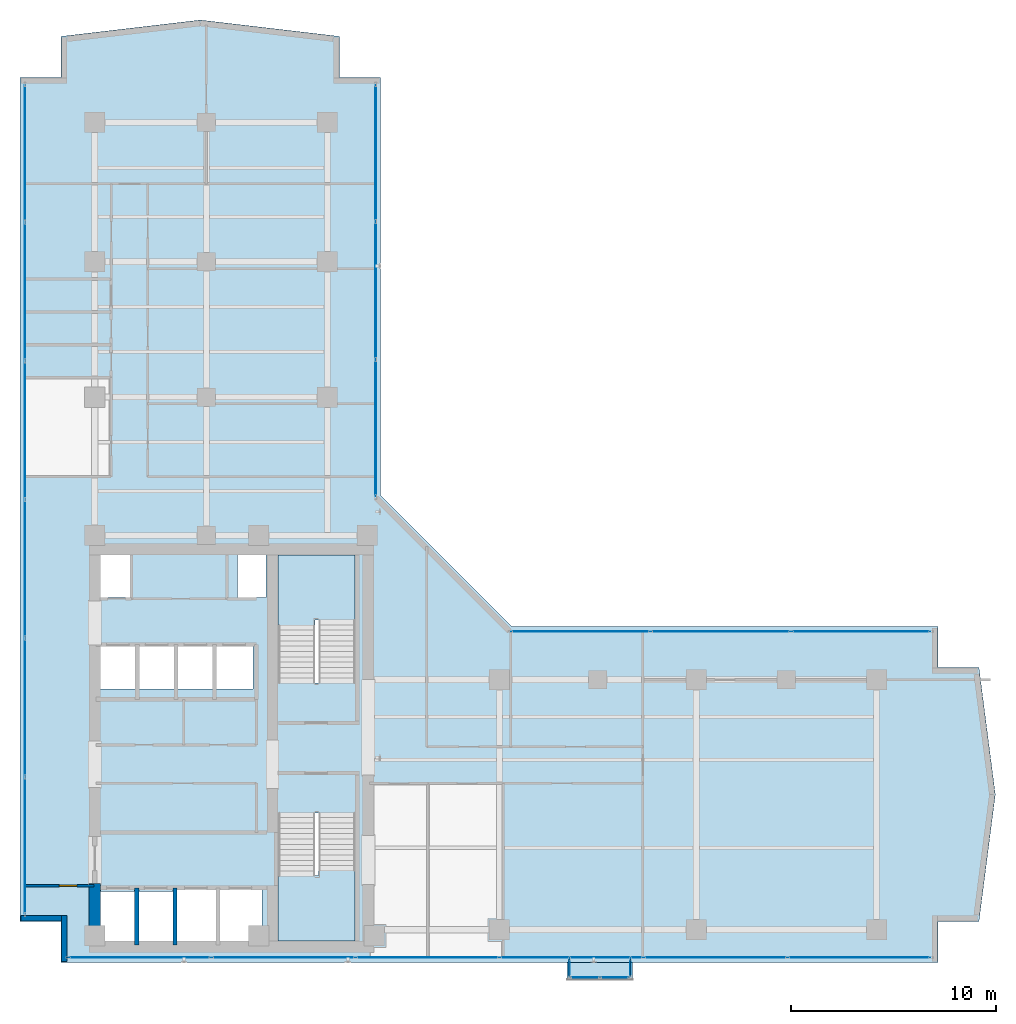
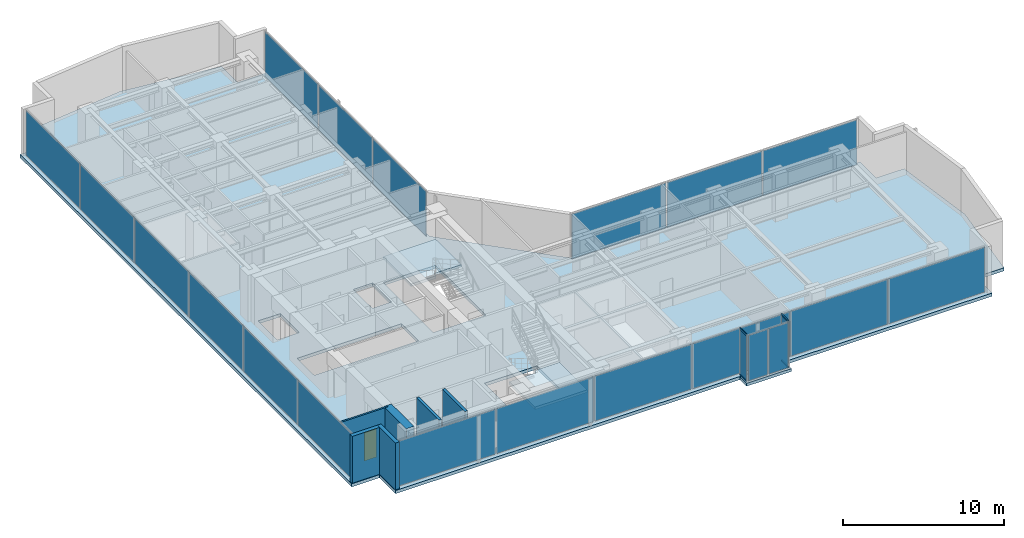
# One storey, part 16 of 23: 22 plates, 6 walls, 4 members, 4 slabs, 1 door, 1 opening, 9 elements without a shape of their own.
"""IFC4 building model written with IfcOpenShell, lengths in metres."""

from ifc_helpers import new_model, si_unit, direction, frame, frame_2d, origin, origin_with_axes, origin_2d, place, context, subcontext, project, spatial, polyline, rectangle, hollow_rectangle, outline, extrude, source, transform, mapped, material, layer, layer_set, material_profile, profile_set, type_object, element, fill, aggregate, save


model = new_model("IFC4")

# Units and contexts
model_context = context("Model", 3, precision=1e-05, world=origin(), true_north=direction((0.0, 1.0)))
body_context = subcontext(model_context, "Body", "Model", "MODEL_VIEW")
ifc_project = project(units=[si_unit("LENGTHUNIT", "METRE"), si_unit("AREAUNIT", "SQUARE_METRE"), si_unit("VOLUMEUNIT", "CUBIC_METRE"), si_unit("PLANEANGLEUNIT", "RADIAN"), si_unit("MASSUNIT", "GRAM", prefix="KILO")], contexts=[model_context])

# Site, building, storey
site_placement = place(None, origin())
site = spatial("IfcSite", under=ifc_project, at=site_placement, CompositionType="ELEMENT")
building_placement = place(site_placement, origin())
building = spatial("IfcBuilding", under=site, at=building_placement, Name="Kolvaren Waterfront Exchange", CompositionType="ELEMENT")
storey_placement = place(building_placement, frame((0.0, 0.0, 234.89990234375)))
storey = spatial("IfcBuildingStorey", under=building, at=storey_placement, Name="L60", CompositionType="ELEMENT", Elevation=234.89990234375)

# Curtain wall, members
ifc_material_1 = material(Name="Anodised bronze aluminium 6063-T6", Category="aluminium")
ifc_layer_1 = layer(ifc_material_1, 0.219970703125, Name="Anodised bronze aluminium 6063-T6")
ifc_layer_set_1 = layer_set([ifc_layer_1], Name="Anodised bronze aluminium 6063-T6")
curtain_wall_type_1 = type_object("IfcCurtainWallType", Name="ARC-CW-SYS3", PredefinedType="USERDEFINED", material=ifc_layer_set_1)
curtain_wall_1_placement = place(storey_placement, origin())
curtain_wall_1 = element("IfcCurtainWall", 1, at=curtain_wall_1_placement, inside=storey, type_object=curtain_wall_type_1, Name="L60 stick curtain wall CW3 (CW-L60-BOX-W)", ObjectType="STICK CURTAIN WALL", PredefinedType="USERDEFINED")
ifc_material_profile = material_profile(ifc_material_1, hollow_rectangle(XDim=0.06494140625, YDim=0.1298828125, WallThickness=0.00390625, at=origin_2d()), Name="ALU-TRN-130x65x4")
ifc_profile_set = profile_set([ifc_material_profile], Name="Anodised bronze aluminium 6063-T6")
member_type = type_object("IfcMemberType", Name="ARC-CWT-130", PredefinedType="USERDEFINED", material=ifc_profile_set)
shared_shape_1 = source(origin_with_axes(), body_context, "Body", "SweptSolid", [
    extrude(hollow_rectangle(XDim=0.06494140625, YDim=0.1298828125, WallThickness=0.00390625, at=origin_2d()), origin(), (0.0, 0.0, 1.0), 0.829833984375),
])
member_1_placement = place(storey_placement, frame((30.610107421875, 3.764892578125, 0.03271484375), z_axis=(0.0, -1.0, 0.0), x_axis=(1.0, 0.0, 0.0)))
member_1 = element("IfcMember", 2, at=member_1_placement, type_object=member_type, Name="CW3 transom 1.1", ObjectType="TRANSOM", PredefinedType="USERDEFINED", context=body_context, shape_type="MappedRepresentation", body=[
    mapped(shared_shape_1, transform((0.0, 0.0, 0.0), x_axis=(1.0, 0.0, 0.0), y_axis=(0.0, 1.0, 0.0), z_axis=(0.0, 0.0, 1.0), scale=1.0)),
])
member_2_placement = place(storey_placement, frame((30.610107421875, 3.764892578125, 3.527587890625), z_axis=(0.0, -1.0, 0.0), x_axis=(1.0, 0.0, 0.0)))
member_2 = element("IfcMember", 3, at=member_2_placement, type_object=member_type, Name="CW3 transom 1.2", ObjectType="TRANSOM", PredefinedType="USERDEFINED", context=body_context, shape_type="MappedRepresentation", body=[
    mapped(shared_shape_1, transform((0.0, 0.0, 0.0), x_axis=(1.0, 0.0, 0.0), y_axis=(0.0, 1.0, 0.0), z_axis=(0.0, 0.0, 1.0), scale=1.0)),
])

curtain_wall_2_placement = place(storey_placement, origin())
curtain_wall_2 = element("IfcCurtainWall", 4, at=curtain_wall_2_placement, inside=storey, type_object=curtain_wall_type_1, Name="L60 stick curtain wall CW3 (CW-L60-BOX-E)", ObjectType="STICK CURTAIN WALL", PredefinedType="USERDEFINED")
member_3_placement = place(storey_placement, frame((33.590087890625, 2.93505859375, 0.03271484375), z_axis=(0.0, 1.0, 0.0), x_axis=(-1.0, 0.0, 0.0)))
member_3 = element("IfcMember", 5, at=member_3_placement, type_object=member_type, Name="CW3 transom 1.1", ObjectType="TRANSOM", PredefinedType="USERDEFINED", context=body_context, shape_type="MappedRepresentation", body=[
    mapped(shared_shape_1, transform((0.0, 0.0, 0.0), x_axis=(1.0, 0.0, 0.0), y_axis=(0.0, 1.0, 0.0), z_axis=(0.0, 0.0, 1.0), scale=1.0)),
])
member_4_placement = place(storey_placement, frame((33.590087890625, 2.93505859375, 3.527587890625), z_axis=(0.0, 1.0, 0.0), x_axis=(-1.0, 0.0, 0.0)))
member_4 = element("IfcMember", 6, at=member_4_placement, type_object=member_type, Name="CW3 transom 1.2", ObjectType="TRANSOM", PredefinedType="USERDEFINED", context=body_context, shape_type="MappedRepresentation", body=[
    mapped(shared_shape_1, transform((0.0, 0.0, 0.0), x_axis=(1.0, 0.0, 0.0), y_axis=(0.0, 1.0, 0.0), z_axis=(0.0, 0.0, 1.0), scale=1.0)),
])

# Stair, slab
ifc_material_2 = material(Name="Concrete C40/50", Category="concrete")
stair_type = type_object("IfcStairType", Name="ARC-STAIR-3800", PredefinedType="HALF_TURN_STAIR", material=ifc_material_2)
stair_1_placement = place(storey_placement, origin())
stair_1 = element("IfcStair", 7, at=stair_1_placement, inside=storey, type_object=stair_type, Name="L60 Smoke-proof exit stair ST1", PredefinedType="HALF_TURN_STAIR")
ifc_layer_2 = layer(ifc_material_2, 0.199951171875, Name="Concrete C40/50")
ifc_layer_set_2 = layer_set([ifc_layer_2], Name="Concrete C40/50")
slab_type_1 = type_object("IfcSlabType", Name="STR-LANDING-200", PredefinedType="LANDING", material=ifc_layer_set_2)
slab_1_placement = place(storey_placement, frame((0.0, 0.0, 1.776123046875)))
slab_1 = element("IfcSlab", 8, at=slab_1_placement, type_object=slab_type_1, Name="ST1 landing 1", PredefinedType="LANDING", context=body_context, shape_type="SweptSolid", body=[
    extrude(outline(polyline([(16.39990234375, 7.840087890625), (16.39990234375, 4.64990234375), (20.159912109375, 4.64990234375), (20.159912109375, 8.10009765625), (18.360107421875, 8.10009765625), (18.360107421875, 7.840087890625), (16.39990234375, 7.840087890625)])), origin(), (0.0, 0.0, 1.0), 0.199951171875),
])
aggregate(stair_1, [slab_1])

stair_2_placement = place(storey_placement, origin())
stair_2 = element("IfcStair", 9, at=stair_2_placement, inside=storey, type_object=stair_type, Name="L60 Smoke-proof exit stair ST2", PredefinedType="HALF_TURN_STAIR")
slab_2_placement = place(storey_placement, frame((0.0, 0.0, 1.776123046875)))
slab_2 = element("IfcSlab", 10, at=slab_2_placement, type_object=slab_type_1, Name="ST2 landing 1", PredefinedType="LANDING", context=body_context, shape_type="SweptSolid", body=[
    extrude(outline(polyline([(20.159912109375, 20.31005859375), (20.159912109375, 23.5), (16.39990234375, 23.5), (16.39990234375, 20.050048828125), (18.199951171875, 20.050048828125), (18.199951171875, 20.31005859375), (20.159912109375, 20.31005859375)])), origin(), (0.0, 0.0, 1.0), 0.199951171875),
])
aggregate(stair_2, [slab_2])

# Slabs
ifc_layer_3 = layer(ifc_material_2, 0.239990234375, Name="Concrete C40/50")
ifc_layer_set_3 = layer_set([ifc_layer_3], Name="Concrete C40/50")
slab_type_2 = type_object("IfcSlabType", Name="STR-SLAB-240", PredefinedType="FLOOR", material=ifc_layer_set_3)
slab_3_placement = place(storey_placement, frame((0.0, 0.0, -0.239990234375)))
element("IfcSlab", 11, at=slab_3_placement, inside=storey, type_object=slab_type_2, Name="L60 structural floor slab", PredefinedType="FLOOR", context=body_context, shape_type="SweptSolid", body=[
    extrude(outline(polyline([(5.800048828125, 3.60009765625), (48.60009765625, 3.60009765625), (48.60009765625, 5.60009765625), (50.60009765625, 5.60009765625), (51.39990234375, 11.800048828125), (50.60009765625, 18.0), (48.60009765625, 18.0), (48.60009765625, 20.0), (27.800048828125, 20.0), (21.39990234375, 26.39990234375), (21.39990234375, 46.800048828125), (19.39990234375, 46.800048828125), (19.39990234375, 48.800048828125), (12.60009765625, 49.60009765625), (5.800048828125, 48.800048828125), (5.800048828125, 46.800048828125), (3.800048828125, 46.800048828125), (3.800048828125, 5.60009765625), (5.800048828125, 5.60009765625), (5.800048828125, 3.60009765625)]), holes=[polyline([(11.320068359375, 7.260009765625), (15.610107421875, 7.260009765625), (15.610107421875, 4.5400390625), (7.719970703125, 4.5400390625), (7.719970703125, 7.06005859375), (11.320068359375, 7.06005859375), (11.320068359375, 7.260009765625)]), polyline([(20.159912109375, 10.89990234375), (20.159912109375, 4.64990234375), (16.39990234375, 4.64990234375), (16.39990234375, 10.89990234375), (20.159912109375, 10.89990234375)]), polyline([(7.669921875, 19.06005859375), (15.159912109375, 19.06005859375), (15.159912109375, 16.93994140625), (7.669921875, 16.93994140625), (7.669921875, 19.06005859375)]), polyline([(16.39990234375, 17.25), (16.39990234375, 23.5), (20.159912109375, 23.5), (20.159912109375, 17.25), (16.39990234375, 17.25)]), polyline([(7.60009765625, 23.780029296875), (9.179931640625, 23.780029296875), (9.179931640625, 21.419921875), (7.60009765625, 21.419921875), (7.60009765625, 23.780029296875)]), polyline([(14.419921875, 23.780029296875), (15.800048828125, 23.780029296875), (15.800048828125, 21.419921875), (14.419921875, 21.419921875), (14.419921875, 23.780029296875)])]), origin(), (0.0, 0.0, 1.0), 0.239990234375),
])
ifc_layer_4 = layer(ifc_material_2, 0.219970703125, Name="Concrete C40/50")
ifc_layer_set_4 = layer_set([ifc_layer_4], Name="Concrete C40/50")
slab_type_3 = type_object("IfcSlabType", Name="STR-TERR-220", PredefinedType="FLOOR", material=ifc_layer_set_4)
slab_4_placement = place(storey_placement, frame((0.0, 0.0, -0.219970703125)))
element("IfcSlab", 12, at=slab_4_placement, inside=storey, type_object=slab_type_3, Name="L60 projecting bay-box floor strip", PredefinedType="FLOOR", context=body_context, shape_type="SweptSolid", body=[
    extrude(outline(polyline([(30.5, 2.75), (33.699951171875, 2.75), (33.699951171875, 3.60009765625), (30.5, 3.60009765625), (30.5, 2.75)])), origin(), (0.0, 0.0, 1.0), 0.219970703125),
])

# Plate
ifc_material_3 = material(Name="Bronze tinted bay-box vision glass", Category="aluminium")
ifc_layer_5 = layer(ifc_material_3, 0.02392578125, Name="Bronze tinted bay-box vision glass")
ifc_layer_set_5 = layer_set([ifc_layer_5], Name="Bronze tinted bay-box vision glass")
plate_type_1 = type_object("IfcPlateType", Name="ARC-CWP-24", PredefinedType="CURTAIN_PANEL", material=ifc_layer_set_5)
shared_shape_2 = source(origin_with_axes(), body_context, "Body", "SweptSolid", [
    extrude(rectangle(XDim=0.830078125, YDim=0.02392578125, at=origin_2d()), origin(), (0.0, 0.0, 1.0), 3.429931640625),
])
plate_1_placement = place(storey_placement, frame((30.610107421875, 3.35009765625, 0.06494140625), z_axis=(0.0, 0.0, 1.0), x_axis=(0.0, -1.0, 0.0)))
plate_1 = element("IfcPlate", 13, at=plate_1_placement, type_object=plate_type_1, Name="CW3 panel 1.1", PredefinedType="CURTAIN_PANEL", context=body_context, shape_type="MappedRepresentation", body=[
    mapped(shared_shape_2, transform((0.0, 0.0, 0.0), x_axis=(1.0, 0.0, 0.0), y_axis=(0.0, 1.0, 0.0), z_axis=(0.0, 0.0, 1.0), scale=1.0)),
])

aggregate(curtain_wall_1, [member_1, member_2, plate_1])

plate_2_placement = place(storey_placement, frame((33.590087890625, 3.35009765625, 0.06494140625), z_axis=(0.0, 0.0, 1.0), x_axis=(0.0, 1.0, 0.0)))
plate_2 = element("IfcPlate", 14, at=plate_2_placement, type_object=plate_type_1, Name="CW3 panel 1.1", PredefinedType="CURTAIN_PANEL", context=body_context, shape_type="MappedRepresentation", body=[
    mapped(shared_shape_2, transform((0.0, 0.0, 0.0), x_axis=(1.0, 0.0, 0.0), y_axis=(0.0, 1.0, 0.0), z_axis=(0.0, 0.0, 1.0), scale=1.0)),
])

aggregate(curtain_wall_2, [member_3, member_4, plate_2])

# Curtain wall, plates
curtain_wall_3_placement = place(storey_placement, origin())
curtain_wall_3 = element("IfcCurtainWall", 15, at=curtain_wall_3_placement, inside=storey, type_object=curtain_wall_type_1, Name="L60 stick curtain wall CW3 (CW-L60-BOX)", ObjectType="STICK CURTAIN WALL", PredefinedType="USERDEFINED")
shared_shape_3 = source(origin_with_axes(), body_context, "Body", "SweptSolid", [
    extrude(rectangle(XDim=1.37744140625, YDim=0.02392578125, at=origin_2d()), origin(), (0.0, 0.0, 1.0), 3.429931640625),
])
plate_3_placement = place(storey_placement, frame((31.373779296875, 2.860107421875, 0.06494140625), z_axis=(0.0, 0.0, 1.0), x_axis=(1.0, 0.0, 0.0)))
plate_3 = element("IfcPlate", 16, at=plate_3_placement, type_object=plate_type_1, Name="CW3 panel 1.1", PredefinedType="CURTAIN_PANEL", context=body_context, shape_type="MappedRepresentation", body=[
    mapped(shared_shape_3, transform((0.0, 0.0, 0.0), x_axis=(1.0, 0.0, 0.0), y_axis=(0.0, 1.0, 0.0), z_axis=(0.0, 0.0, 1.0), scale=1.0)),
])
plate_4_placement = place(storey_placement, frame((32.826171875, 2.860107421875, 0.06494140625), z_axis=(0.0, 0.0, 1.0), x_axis=(1.0, 0.0, 0.0)))
plate_4 = element("IfcPlate", 17, at=plate_4_placement, type_object=plate_type_1, Name="CW3 panel 2.1", PredefinedType="CURTAIN_PANEL", context=body_context, shape_type="MappedRepresentation", body=[
    mapped(shared_shape_3, transform((0.0, 0.0, 0.0), x_axis=(1.0, 0.0, 0.0), y_axis=(0.0, 1.0, 0.0), z_axis=(0.0, 0.0, 1.0), scale=1.0)),
])
aggregate(curtain_wall_3, [plate_3, plate_4])

ifc_material_4 = material(Name="Anodised aluminium 6063-T6", Category="aluminium")
ifc_layer_6 = layer(ifc_material_4, 0.219970703125, Name="Anodised aluminium 6063-T6")
ifc_layer_set_6 = layer_set([ifc_layer_6], Name="Anodised aluminium 6063-T6")
curtain_wall_type_2 = type_object("IfcCurtainWallType", Name="ARC-CW-SYS2", PredefinedType="USERDEFINED", material=ifc_layer_set_6)
curtain_wall_4_placement = place(storey_placement, origin())
curtain_wall_4 = element("IfcCurtainWall", 18, at=curtain_wall_4_placement, inside=storey, type_object=curtain_wall_type_2, Name="L60 stick curtain wall CW2 (CW-L60-W)", ObjectType="STICK CURTAIN WALL", PredefinedType="USERDEFINED")
ifc_material_5 = material(Name="Acoustic laminated vision glass", Category="glass")
ifc_layer_7 = layer(ifc_material_5, 0.031982421875, Name="Acoustic laminated vision glass")
ifc_layer_set_7 = layer_set([ifc_layer_7], Name="Acoustic laminated vision glass")
plate_type_2 = type_object("IfcPlateType", Name="ARC-CWP-32", PredefinedType="CURTAIN_PANEL", material=ifc_layer_set_7)
shared_shape_4 = source(origin_with_axes(), body_context, "Body", "SweptSolid", [
    extrude(rectangle(XDim=6.646728515625, YDim=0.031982421875, at=origin_2d()), origin(), (0.0, 0.0, 1.0), 3.409912109375),
])
plate_5_placement = place(storey_placement, frame((4.0400390625, 9.30322265625, 0.0751953125), z_axis=(0.0, 0.0, 1.0), x_axis=(0.0, 1.0, 0.0)))
plate_5 = element("IfcPlate", 19, at=plate_5_placement, type_object=plate_type_2, Name="CW2 panel 1.1", PredefinedType="CURTAIN_PANEL", context=body_context, shape_type="MappedRepresentation", body=[
    mapped(shared_shape_4, transform((0.0, 0.0, 0.0), x_axis=(1.0, 0.0, 0.0), y_axis=(0.0, 1.0, 0.0), z_axis=(0.0, 0.0, 1.0), scale=1.0)),
])
plate_6_placement = place(storey_placement, frame((4.0400390625, 43.0966796875, 0.0751953125), z_axis=(0.0, 0.0, 1.0), x_axis=(0.0, 1.0, 0.0)))
plate_6 = element("IfcPlate", 20, at=plate_6_placement, type_object=plate_type_2, Name="CW2 panel 6.1", PredefinedType="CURTAIN_PANEL", context=body_context, shape_type="MappedRepresentation", body=[
    mapped(shared_shape_4, transform((0.0, 0.0, 0.0), x_axis=(1.0, 0.0, 0.0), y_axis=(0.0, 1.0, 0.0), z_axis=(0.0, 0.0, 1.0), scale=1.0)),
])
shared_shape_5 = source(origin_with_axes(), body_context, "Body", "SweptSolid", [
    extrude(rectangle(XDim=6.686767578125, YDim=0.031982421875, at=origin_2d()), origin(), (0.0, 0.0, 1.0), 3.409912109375),
])
plate_7_placement = place(storey_placement, frame((4.0400390625, 16.050048828125, 0.0751953125), z_axis=(0.0, 0.0, 1.0), x_axis=(0.0, 1.0, 0.0)))
plate_7 = element("IfcPlate", 21, at=plate_7_placement, type_object=plate_type_2, Name="CW2 panel 2.1", PredefinedType="CURTAIN_PANEL", context=body_context, shape_type="MappedRepresentation", body=[
    mapped(shared_shape_5, transform((0.0, 0.0, 0.0), x_axis=(1.0, 0.0, 0.0), y_axis=(0.0, 1.0, 0.0), z_axis=(0.0, 0.0, 1.0), scale=1.0)),
])
plate_8_placement = place(storey_placement, frame((4.0400390625, 22.816650390625, 0.0751953125), z_axis=(0.0, 0.0, 1.0), x_axis=(0.0, 1.0, 0.0)))
plate_8 = element("IfcPlate", 22, at=plate_8_placement, type_object=plate_type_2, Name="CW2 panel 3.1", PredefinedType="CURTAIN_PANEL", context=body_context, shape_type="MappedRepresentation", body=[
    mapped(shared_shape_5, transform((0.0, 0.0, 0.0), x_axis=(1.0, 0.0, 0.0), y_axis=(0.0, 1.0, 0.0), z_axis=(0.0, 0.0, 1.0), scale=1.0)),
])
plate_9_placement = place(storey_placement, frame((4.0400390625, 29.583251953125, 0.0751953125), z_axis=(0.0, 0.0, 1.0), x_axis=(0.0, 1.0, 0.0)))
plate_9 = element("IfcPlate", 23, at=plate_9_placement, type_object=plate_type_2, Name="CW2 panel 4.1", PredefinedType="CURTAIN_PANEL", context=body_context, shape_type="MappedRepresentation", body=[
    mapped(shared_shape_5, transform((0.0, 0.0, 0.0), x_axis=(1.0, 0.0, 0.0), y_axis=(0.0, 1.0, 0.0), z_axis=(0.0, 0.0, 1.0), scale=1.0)),
])
plate_10_placement = place(storey_placement, frame((4.0400390625, 36.35009765625, 0.0751953125), z_axis=(0.0, 0.0, 1.0), x_axis=(0.0, 1.0, 0.0)))
plate_10 = element("IfcPlate", 24, at=plate_10_placement, type_object=plate_type_2, Name="CW2 panel 5.1", PredefinedType="CURTAIN_PANEL", context=body_context, shape_type="MappedRepresentation", body=[
    mapped(shared_shape_5, transform((0.0, 0.0, 0.0), x_axis=(1.0, 0.0, 0.0), y_axis=(0.0, 1.0, 0.0), z_axis=(0.0, 0.0, 1.0), scale=1.0)),
])
aggregate(curtain_wall_4, [plate_5, plate_7, plate_8, plate_9, plate_10, plate_6])

ifc_layer_8 = layer(ifc_material_1, 0.219970703125, Name="Anodised bronze aluminium 6063-T6")
ifc_layer_set_8 = layer_set([ifc_layer_8], Name="Anodised bronze aluminium 6063-T6")
curtain_wall_type_3 = type_object("IfcCurtainWallType", Name="ARC-CW-SYS1", PredefinedType="USERDEFINED", material=ifc_layer_set_8)
curtain_wall_5_placement = place(storey_placement, origin())
curtain_wall_5 = element("IfcCurtainWall", 25, at=curtain_wall_5_placement, inside=storey, type_object=curtain_wall_type_3, Name="L60 stick curtain wall CW1 (CW-L60-S)", ObjectType="STICK CURTAIN WALL", PredefinedType="USERDEFINED")
ifc_material_6 = material(Name="Bronze solar control vision glass", Category="aluminium")
ifc_layer_9 = layer(ifc_material_6, 0.028076171875, Name="Bronze solar control vision glass")
ifc_layer_set_9 = layer_set([ifc_layer_9], Name="Bronze solar control vision glass")
plate_type_3 = type_object("IfcPlateType", Name="ARC-CWP-28", PredefinedType="CURTAIN_PANEL", material=ifc_layer_set_9)
shared_shape_6 = source(origin_with_axes(), body_context, "Body", "SweptSolid", [
    extrude(rectangle(XDim=6.913330078125, YDim=0.028076171875, at=origin_2d()), origin(), (0.0, 0.0, 1.0), 3.409912109375),
])
plate_11_placement = place(storey_placement, frame((9.63671875, 3.840087890625, 0.0751953125), z_axis=(0.0, 0.0, 1.0), x_axis=(1.0, 0.0, 0.0)))
plate_11 = element("IfcPlate", 26, at=plate_11_placement, type_object=plate_type_3, Name="CW1 panel 1.1", PredefinedType="CURTAIN_PANEL", context=body_context, shape_type="MappedRepresentation", body=[
    mapped(shared_shape_6, transform((0.0, 0.0, 0.0), x_axis=(1.0, 0.0, 0.0), y_axis=(0.0, 1.0, 0.0), z_axis=(0.0, 0.0, 1.0), scale=1.0)),
])
plate_12_placement = place(storey_placement, frame((44.763427734375, 3.840087890625, 0.0751953125), z_axis=(0.0, 0.0, 1.0), x_axis=(1.0, 0.0, 0.0)))
plate_12 = element("IfcPlate", 27, at=plate_12_placement, type_object=plate_type_3, Name="CW1 panel 6.1", PredefinedType="CURTAIN_PANEL", context=body_context, shape_type="MappedRepresentation", body=[
    mapped(shared_shape_6, transform((0.0, 0.0, 0.0), x_axis=(1.0, 0.0, 0.0), y_axis=(0.0, 1.0, 0.0), z_axis=(0.0, 0.0, 1.0), scale=1.0)),
])
shared_shape_7 = source(origin_with_axes(), body_context, "Body", "SweptSolid", [
    extrude(rectangle(XDim=6.953369140625, YDim=0.028076171875, at=origin_2d()), origin(), (0.0, 0.0, 1.0), 3.409912109375),
])
plate_13_placement = place(storey_placement, frame((16.64990234375, 3.840087890625, 0.0751953125), z_axis=(0.0, 0.0, 1.0), x_axis=(1.0, 0.0, 0.0)))
plate_13 = element("IfcPlate", 28, at=plate_13_placement, type_object=plate_type_3, Name="CW1 panel 2.1", PredefinedType="CURTAIN_PANEL", context=body_context, shape_type="MappedRepresentation", body=[
    mapped(shared_shape_7, transform((0.0, 0.0, 0.0), x_axis=(1.0, 0.0, 0.0), y_axis=(0.0, 1.0, 0.0), z_axis=(0.0, 0.0, 1.0), scale=1.0)),
])
plate_14_placement = place(storey_placement, frame((23.683349609375, 3.840087890625, 0.0751953125), z_axis=(0.0, 0.0, 1.0), x_axis=(1.0, 0.0, 0.0)))
plate_14 = element("IfcPlate", 29, at=plate_14_placement, type_object=plate_type_3, Name="CW1 panel 3.1", PredefinedType="CURTAIN_PANEL", context=body_context, shape_type="MappedRepresentation", body=[
    mapped(shared_shape_7, transform((0.0, 0.0, 0.0), x_axis=(1.0, 0.0, 0.0), y_axis=(0.0, 1.0, 0.0), z_axis=(0.0, 0.0, 1.0), scale=1.0)),
])
plate_15_placement = place(storey_placement, frame((30.716552734375, 3.840087890625, 0.0751953125), z_axis=(0.0, 0.0, 1.0), x_axis=(1.0, 0.0, 0.0)))
plate_15 = element("IfcPlate", 30, at=plate_15_placement, type_object=plate_type_3, Name="CW1 panel 4.1", PredefinedType="CURTAIN_PANEL", context=body_context, shape_type="MappedRepresentation", body=[
    mapped(shared_shape_7, transform((0.0, 0.0, 0.0), x_axis=(1.0, 0.0, 0.0), y_axis=(0.0, 1.0, 0.0), z_axis=(0.0, 0.0, 1.0), scale=1.0)),
])
plate_16_placement = place(storey_placement, frame((37.75, 3.840087890625, 0.0751953125), z_axis=(0.0, 0.0, 1.0), x_axis=(1.0, 0.0, 0.0)))
plate_16 = element("IfcPlate", 31, at=plate_16_placement, type_object=plate_type_3, Name="CW1 panel 5.1", PredefinedType="CURTAIN_PANEL", context=body_context, shape_type="MappedRepresentation", body=[
    mapped(shared_shape_7, transform((0.0, 0.0, 0.0), x_axis=(1.0, 0.0, 0.0), y_axis=(0.0, 1.0, 0.0), z_axis=(0.0, 0.0, 1.0), scale=1.0)),
])
aggregate(curtain_wall_5, [plate_11, plate_13, plate_14, plate_15, plate_16, plate_12])

curtain_wall_6_placement = place(storey_placement, origin())
curtain_wall_6 = element("IfcCurtainWall", 32, at=curtain_wall_6_placement, inside=storey, type_object=curtain_wall_type_3, Name="L60 stick curtain wall CW1 (CW-L60-NE)", ObjectType="STICK CURTAIN WALL", PredefinedType="USERDEFINED")
shared_shape_8 = source(origin_with_axes(), body_context, "Body", "SweptSolid", [
    extrude(rectangle(XDim=6.61669921875, YDim=0.028076171875, at=origin_2d()), origin(), (0.0, 0.0, 1.0), 3.409912109375),
])
plate_17_placement = place(storey_placement, frame((21.159912109375, 29.67822265625, 0.0751953125), z_axis=(0.0, 0.0, 1.0), x_axis=(0.0, 1.0, 0.0)))
plate_17 = element("IfcPlate", 33, at=plate_17_placement, type_object=plate_type_3, Name="CW1 panel 1.1", PredefinedType="CURTAIN_PANEL", context=body_context, shape_type="MappedRepresentation", body=[
    mapped(shared_shape_8, transform((0.0, 0.0, 0.0), x_axis=(1.0, 0.0, 0.0), y_axis=(0.0, 1.0, 0.0), z_axis=(0.0, 0.0, 1.0), scale=1.0)),
])
plate_18_placement = place(storey_placement, frame((21.159912109375, 43.111572265625, 0.0751953125), z_axis=(0.0, 0.0, 1.0), x_axis=(0.0, 1.0, 0.0)))
plate_18 = element("IfcPlate", 34, at=plate_18_placement, type_object=plate_type_3, Name="CW1 panel 3.1", PredefinedType="CURTAIN_PANEL", context=body_context, shape_type="MappedRepresentation", body=[
    mapped(shared_shape_8, transform((0.0, 0.0, 0.0), x_axis=(1.0, 0.0, 0.0), y_axis=(0.0, 1.0, 0.0), z_axis=(0.0, 0.0, 1.0), scale=1.0)),
])
shared_shape_9 = source(origin_with_axes(), body_context, "Body", "SweptSolid", [
    extrude(rectangle(XDim=6.65673828125, YDim=0.028076171875, at=origin_2d()), origin(), (0.0, 0.0, 1.0), 3.409912109375),
])
plate_19_placement = place(storey_placement, frame((21.159912109375, 36.39501953125, 0.0751953125), z_axis=(0.0, 0.0, 1.0), x_axis=(0.0, 1.0, 0.0)))
plate_19 = element("IfcPlate", 35, at=plate_19_placement, type_object=plate_type_3, Name="CW1 panel 2.1", PredefinedType="CURTAIN_PANEL", context=body_context, shape_type="MappedRepresentation", body=[
    mapped(shared_shape_9, transform((0.0, 0.0, 0.0), x_axis=(1.0, 0.0, 0.0), y_axis=(0.0, 1.0, 0.0), z_axis=(0.0, 0.0, 1.0), scale=1.0)),
])
aggregate(curtain_wall_6, [plate_17, plate_19, plate_18])

curtain_wall_7_placement = place(storey_placement, origin())
curtain_wall_7 = element("IfcCurtainWall", 36, at=curtain_wall_7_placement, inside=storey, type_object=curtain_wall_type_3, Name="L60 stick curtain wall CW1 (CW-L60-EN)", ObjectType="STICK CURTAIN WALL", PredefinedType="USERDEFINED")
shared_shape_10 = source(origin_with_axes(), body_context, "Body", "SweptSolid", [
    extrude(rectangle(XDim=6.75, YDim=0.028076171875, at=origin_2d()), origin(), (0.0, 0.0, 1.0), 3.409912109375),
])
plate_20_placement = place(storey_placement, frame((31.14501953125, 19.760009765625, 0.0751953125), z_axis=(0.0, 0.0, 1.0), x_axis=(1.0, 0.0, 0.0)))
plate_20 = element("IfcPlate", 37, at=plate_20_placement, type_object=plate_type_3, Name="CW1 panel 1.1", PredefinedType="CURTAIN_PANEL", context=body_context, shape_type="MappedRepresentation", body=[
    mapped(shared_shape_10, transform((0.0, 0.0, 0.0), x_axis=(1.0, 0.0, 0.0), y_axis=(0.0, 1.0, 0.0), z_axis=(0.0, 0.0, 1.0), scale=1.0)),
])
plate_21_placement = place(storey_placement, frame((44.844970703125, 19.760009765625, 0.0751953125), z_axis=(0.0, 0.0, 1.0), x_axis=(1.0, 0.0, 0.0)))
plate_21 = element("IfcPlate", 38, at=plate_21_placement, type_object=plate_type_3, Name="CW1 panel 3.1", PredefinedType="CURTAIN_PANEL", context=body_context, shape_type="MappedRepresentation", body=[
    mapped(shared_shape_10, transform((0.0, 0.0, 0.0), x_axis=(1.0, 0.0, 0.0), y_axis=(0.0, 1.0, 0.0), z_axis=(0.0, 0.0, 1.0), scale=1.0)),
])
shared_shape_11 = source(origin_with_axes(), body_context, "Body", "SweptSolid", [
    extrude(rectangle(XDim=6.7900390625, YDim=0.028076171875, at=origin_2d()), origin(), (0.0, 0.0, 1.0), 3.409912109375),
])
plate_22_placement = place(storey_placement, frame((37.9951171875, 19.760009765625, 0.0751953125), z_axis=(0.0, 0.0, 1.0), x_axis=(1.0, 0.0, 0.0)))
plate_22 = element("IfcPlate", 39, at=plate_22_placement, type_object=plate_type_3, Name="CW1 panel 2.1", PredefinedType="CURTAIN_PANEL", context=body_context, shape_type="MappedRepresentation", body=[
    mapped(shared_shape_11, transform((0.0, 0.0, 0.0), x_axis=(1.0, 0.0, 0.0), y_axis=(0.0, 1.0, 0.0), z_axis=(0.0, 0.0, 1.0), scale=1.0)),
])
aggregate(curtain_wall_7, [plate_20, plate_22, plate_21])

# Walls
ifc_material_7 = material(Name="Precast concrete C40/50", Category="concrete")
ifc_layer_10 = layer(ifc_material_7, 0.280029296875, Name="Precast concrete C40/50")
ifc_layer_set_10 = layer_set([ifc_layer_10], Name="Precast concrete C40/50")
wall_type_1 = type_object("IfcWallType", Name="ARC-EXT-TERR-280", PredefinedType="SOLIDWALL", material=ifc_layer_set_10)
wall_1_placement = place(storey_placement, frame((5.9599609375, 3.659912109375, 0.0), z_axis=(0.0, 0.0, 1.0), x_axis=(0.0, 1.0, 0.0)))
element("IfcWall", 40, at=wall_1_placement, inside=storey, type_object=wall_type_1, Name="L60 notched corner spandrel pier SW-A", PredefinedType="SOLIDWALL", context=body_context, shape_type="SweptSolid", body=[
    extrude(rectangle(XDim=2.239990234375, YDim=0.280029296875, at=frame_2d((1.1201171875, 0.0))), origin(), (0.0, 0.0, 1.0), 3.56005859375),
])
wall_2_placement = place(storey_placement, frame((3.860107421875, 5.760009765625, 0.0), z_axis=(0.0, 0.0, 1.0), x_axis=(1.0, 0.0, 0.0)))
element("IfcWall", 41, at=wall_2_placement, inside=storey, type_object=wall_type_1, Name="L60 notched corner spandrel pier SW-B", PredefinedType="SOLIDWALL", context=body_context, shape_type="SweptSolid", body=[
    extrude(rectangle(XDim=1.9599609375, YDim=0.280029296875, at=frame_2d((0.97998046875, 0.0))), origin(), (0.0, 0.0, 1.0), 3.56005859375),
])

# Wall, opening, door
ifc_material_8 = material(Name="Acoustic gypsum steel stud", Category="steel")
ifc_layer_11 = layer(ifc_material_8, 0.125, Name="Acoustic gypsum steel stud")
ifc_layer_set_11 = layer_set([ifc_layer_11], Name="Acoustic gypsum steel stud")
wall_type_2 = type_object("IfcWallType", Name="ARC-PART-125", PredefinedType="PARTITIONING", material=ifc_layer_set_11)
wall_3_placement = place(storey_placement, frame((4.0400390625, 7.35009765625, 0.0), z_axis=(0.0, 0.0, 1.0), x_axis=(1.0, 0.0, 0.0)))
wall_3 = element("IfcWall", 42, at=wall_3_placement, inside=storey, type_object=wall_type_2, Name="L60 interior wall PW-L60-SWC-N", PredefinedType="PARTITIONING", context=body_context, shape_type="SweptSolid", body=[
    extrude(rectangle(XDim=3.35986328125, YDim=0.125, at=frame_2d((1.679931640625, 0.0))), origin(), (0.0, 0.0, 1.0), 3.56005859375),
])
opening_placement = place(wall_3_placement, frame((1.686767578125, 0.0, 0.0)))
opening = element("IfcOpeningElement", 43, at=opening_placement, cuts=wall_3, Name="Opening D01", PredefinedType="OPENING", context=body_context, shape_type="SweptSolid", body=[
    extrude(rectangle(XDim=0.85009765625, YDim=2.14990234375, at=frame_2d((0.425048828125, 1.074951171875))), frame((0.0, 0.072509765625, 0.0), z_axis=(0.0, -1.0, 0.0), x_axis=(1.0, 0.0, 0.0)), (0.0, 0.0, 1.0), 0.14501953125),
])
ifc_material_9 = material(Name="Oak veneer timber leaf", Category="wood")
door_type = type_object("IfcDoorType", Name="ARC-DR-900", OperationType="NOTDEFINED", PredefinedType="DOOR", material=ifc_material_9)
door_placement = place(opening_placement, origin())
door = element("IfcDoor", 44, at=door_placement, inside=storey, type_object=door_type, Name="L60 door DR-L60-SWC-D (D01)", OperationType="SINGLE_SWING_LEFT", OverallHeight=2.14990234375, OverallWidth=0.85009765625, PredefinedType="DOOR", context=body_context, shape_type="SweptSolid", body=[
    extrude(rectangle(XDim=0.85009765625, YDim=2.14990234375, at=frame_2d((0.425048828125, 1.074951171875))), frame((0.0, 0.02490234375, 0.0), z_axis=(0.0, -1.0, 0.0), x_axis=(1.0, 0.0, 0.0)), (0.0, 0.0, 1.0), 0.050048828125),
])
fill(opening, door)

# Walls
ifc_layer_12 = layer(ifc_material_2, 0.199951171875, Name="Concrete C40/50")
ifc_layer_set_12 = layer_set([ifc_layer_12], Name="Concrete C40/50")
wall_type_3 = type_object("IfcWallType", Name="ARC-SHAFT-200", PredefinedType="PARTITIONING", material=ifc_layer_set_12)
for number, where, z_axis, x_axis, name in (
    (45, (9.5, 4.449951171875, 0.0), (0.0, 0.0, 1.0), (0.0, 1.0, 0.0), "L60 interior wall PW-L60-SH1-DIV-95"),
    (46, (11.360107421875, 4.449951171875, 0.0), (0.0, 0.0, 1.0), (0.0, 1.0, 0.0), "L60 interior wall PW-L60-SH1-DIV-113"),
):
    element("IfcWall", number, at=place(storey_placement, frame(where, z_axis=z_axis, x_axis=x_axis)), inside=storey, type_object=wall_type_3, Name=name, PredefinedType="PARTITIONING", context=body_context, shape_type="SweptSolid", body=[
        extrude(rectangle(XDim=2.800048828125, YDim=0.199951171875, at=frame_2d((1.39990234375, 0.0))), origin(), (0.0, 0.0, 1.0), 3.56005859375),
    ])
ifc_material_10 = material(Name="Concrete C50/60", Category="concrete")
ifc_layer_13 = layer(ifc_material_10, 0.550048828125, Name="Concrete C50/60")
ifc_layer_set_13 = layer_set([ifc_layer_13], Name="Concrete C50/60")
wall_type_4 = type_object("IfcWallType", Name="STR-CWALL-550", PredefinedType="SHEAR", material=ifc_layer_set_13)
wall_4_placement = place(storey_placement, frame((7.449951171875, 4.64990234375, 0.0), z_axis=(0.0, 0.0, 1.0), x_axis=(0.0, 1.0, 0.0)))
element("IfcWall", 47, at=wall_4_placement, inside=storey, type_object=wall_type_4, Name="L60 rear-core shear wall W1", PredefinedType="SHEAR", context=body_context, shape_type="SweptSolid", body=[
    extrude(rectangle(XDim=2.800048828125, YDim=0.550048828125, at=frame_2d((1.39990234375, 0.0))), origin(), (0.0, 0.0, 1.0), 3.56005859375),
])

save(model, "model.ifc")
